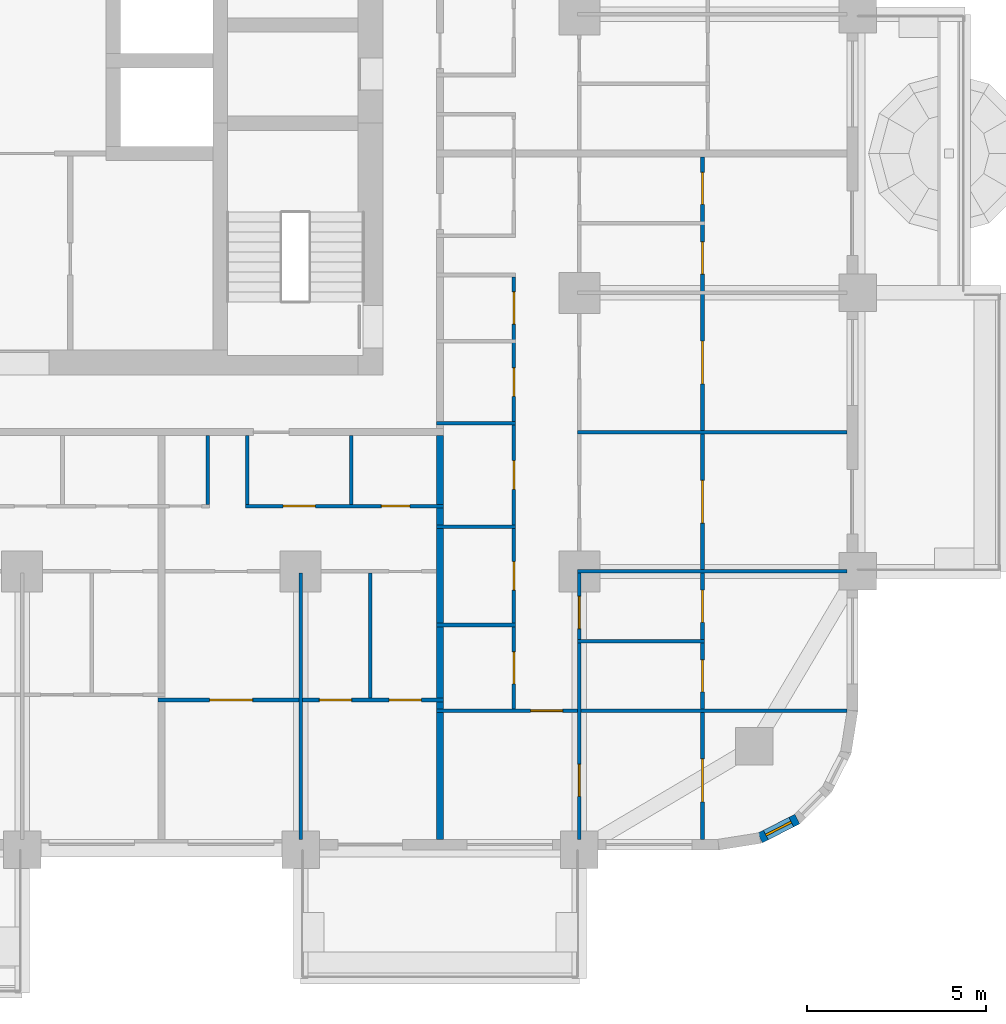
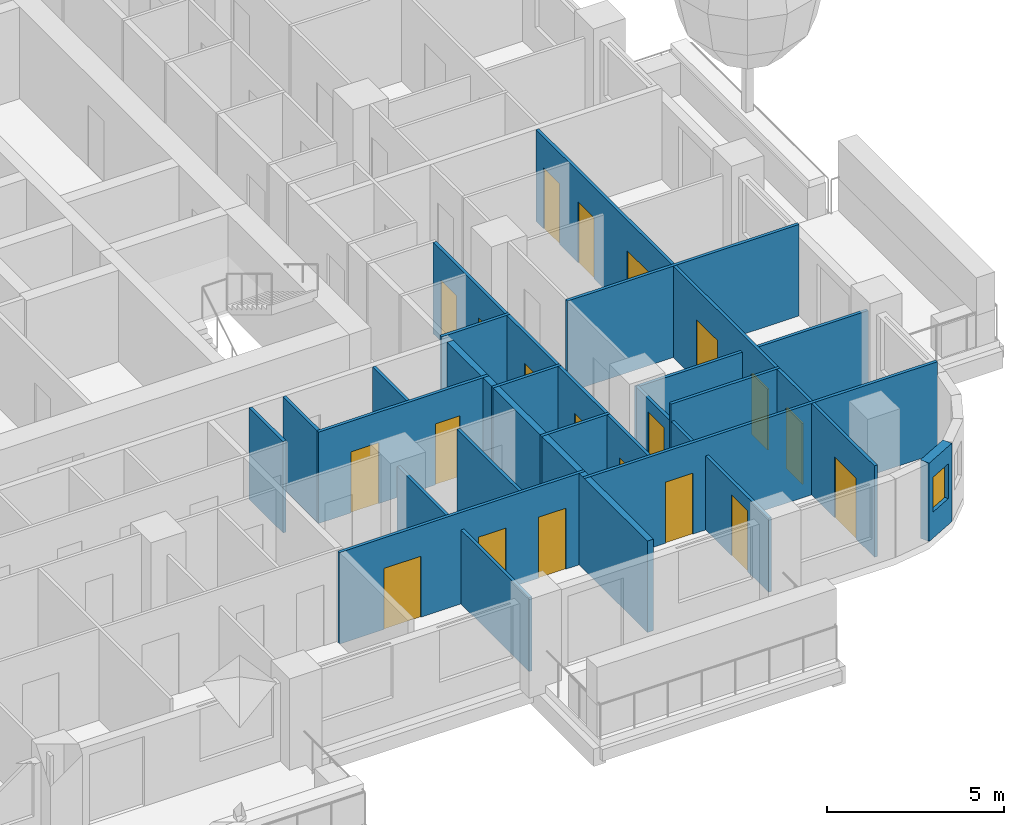
# One storey, part 7 of 18: 20 doors, 19 walls, 1 window, 21 openings.
"""IFC4 building model written with IfcOpenShell, lengths in metres."""

from ifc_helpers import new_model, si_unit, direction, frame, frame_2d, origin, place, context, subcontext, project, spatial, rectangle, extrude, material, layer, layer_set, type_object, element, fill, save


model = new_model("IFC4")

# Units and contexts
model_context = context("Model", 3, precision=1e-05, world=origin(), true_north=direction((0.0, 1.0)))
body_context = subcontext(model_context, "Body", "Model", "MODEL_VIEW")
ifc_project = project(units=[si_unit("LENGTHUNIT", "METRE"), si_unit("AREAUNIT", "SQUARE_METRE"), si_unit("VOLUMEUNIT", "CUBIC_METRE"), si_unit("PLANEANGLEUNIT", "RADIAN"), si_unit("MASSUNIT", "GRAM", prefix="KILO")], contexts=[model_context])

# Site, building, storey
site_placement = place(None, origin())
site = spatial("IfcSite", under=ifc_project, at=site_placement, CompositionType="ELEMENT")
building_placement = place(site_placement, origin())
building = spatial("IfcBuilding", under=site, at=building_placement, Name="Ludao Terraces", CompositionType="ELEMENT")
storey_placement = place(building_placement, frame((0.0, 0.0, 26.300048828125)))
storey = spatial("IfcBuildingStorey", under=building, at=storey_placement, Name="L06", CompositionType="ELEMENT", Elevation=26.300048828125)

# Wall, opening, window
ifc_material_1 = material(Name="Granite cladding", Category="masonry")
ifc_layer_1 = layer(ifc_material_1, 0.0400390625, Category="stone")
ifc_material_2 = material(Name="Mineral wool")
ifc_layer_2 = layer(ifc_material_2, 0.06005859375)
ifc_material_3 = material(Name="Concrete C40", Category="concrete")
ifc_layer_3 = layer(ifc_material_3, 0.199951171875, Category="concrete")
ifc_layer_set_1 = layer_set([ifc_layer_1, ifc_layer_2, ifc_layer_3], Name="ENV Stone-clad wall 300")
wall_type_1 = type_object("IfcWallType", Name="ENV Stone-clad wall 300", PredefinedType="SOLIDWALL", material=ifc_layer_set_1)
wall_1_placement = place(storey_placement, frame((105.65869140625, 41.93359375, 0.0), z_axis=(0.0, 0.0, 1.0), x_axis=(0.890988677504, 0.454025524128, 0.0)))
wall_1 = element("IfcWall", 1, at=wall_1_placement, inside=storey, type_object=wall_type_1, Name="EW-L06-SE2", PredefinedType="SOLIDWALL", context=body_context, shape_type="SweptSolid", body=[
    extrude(rectangle(XDim=1.17333984375, YDim=0.300048828125, at=frame_2d((0.586669921875, 0.0))), origin(), (0.0, 0.0, 1.0), 2.699951171875),
])
opening_1_placement = place(wall_1_placement, frame((0.1865234375, 0.0, 0.89990234375)))
opening_1 = element("IfcOpeningElement", 2, at=opening_1_placement, cuts=wall_1, Name="Opening W3", PredefinedType="OPENING", context=body_context, shape_type="SweptSolid", body=[
    extrude(rectangle(XDim=0.800048828125, YDim=1.199951171875, at=frame_2d((0.39990234375, 0.60009765625))), frame((0.0, 0.16015625, 0.0), z_axis=(0.0, -1.0, 0.0), x_axis=(1.0, 0.0, 0.0)), (0.0, 0.0, 1.0), 0.320068359375),
])
ifc_material_4 = material(Name="Clear glass in aluminium frame", Category="aluminium")
ifc_layer_4 = layer(ifc_material_4, 0.06005859375)
ifc_layer_set_2 = layer_set([ifc_layer_4], Name="ENV Window W3 800x1200")
window_type = type_object("IfcWindowType", Name="ENV Window W3 800x1200", PartitioningType="SINGLE_PANEL", PredefinedType="WINDOW", material=ifc_layer_set_2)
window_placement = place(opening_1_placement, origin())
window = element("IfcWindow", 3, at=window_placement, inside=storey, type_object=window_type, Name="W-L06-SE2", OverallHeight=1.199951171875, OverallWidth=0.800048828125, PartitioningType="SINGLE_PANEL", PredefinedType="WINDOW", context=body_context, shape_type="SweptSolid", body=[
    extrude(rectangle(XDim=0.800048828125, YDim=1.199951171875, at=frame_2d((0.39990234375, 0.60009765625))), frame((0.0, 0.030029296875, 0.0), z_axis=(0.0, -1.0, 0.0), x_axis=(1.0, 0.0, 0.0)), (0.0, 0.0, 1.0), 0.06005859375),
])
fill(opening_1, window)

# Wall, opening, door
ifc_material_5 = material(Name="Gypsum plasterboard", Category="gypsum")
ifc_layer_5 = layer(ifc_material_5, 0.012451171875, Category="gypsum")
ifc_layer_6 = layer(ifc_material_2, 0.06005859375, Name="insulation")
ifc_material_6 = material(Name="Steel Q235", Category="steel")
ifc_layer_7 = layer(ifc_material_6, 0.014892578125, Name="stud")
ifc_layer_8 = layer(ifc_material_5, 0.012451171875, Category="gypsum")
ifc_layer_set_3 = layer_set([ifc_layer_5, ifc_layer_6, ifc_layer_7, ifc_layer_8], Name="INT Partition 100")
wall_type_2 = type_object("IfcWallType", Name="INT Partition 100", PredefinedType="PARTITIONING", material=ifc_layer_set_3)
wall_2_placement = place(storey_placement, frame((96.60009765625, 45.5, 0.0), z_axis=(0.0, 0.0, 1.0), x_axis=(1.0, 0.0, 0.0)))
wall_2 = element("IfcWall", 4, at=wall_2_placement, inside=storey, type_object=wall_type_2, Name="PW-L06-PW001", PredefinedType="PARTITIONING", context=body_context, shape_type="SweptSolid", body=[
    extrude(rectangle(XDim=11.5, YDim=0.10009765625, at=frame_2d((5.75, 0.0))), origin(), (0.0, 0.0, 1.0), 3.14990234375),
])
opening_2_placement = place(wall_2_placement, frame((2.635009765625, 0.0, 0.0)))
opening_2 = element("IfcOpeningElement", 5, at=opening_2_placement, cuts=wall_2, Name="Opening R01-006", PredefinedType="OPENING", context=body_context, shape_type="SweptSolid", body=[
    extrude(rectangle(XDim=0.89990234375, YDim=2.10009765625, at=frame_2d((0.449951171875, 1.050048828125))), frame((0.0, 0.06005859375, 0.0), z_axis=(0.0, -1.0, 0.0), x_axis=(1.0, 0.0, 0.0)), (0.0, 0.0, 1.0), 0.1201171875),
])
ifc_material_7 = material(Name="Timber door leaf", Category="wood")
door_type_1 = type_object("IfcDoorType", Name="INT Room door 900", OperationType="SINGLE_SWING_LEFT", PredefinedType="DOOR", material=ifc_material_7)
door_1_placement = place(opening_2_placement, origin())
door_1 = element("IfcDoor", 6, at=door_1_placement, inside=storey, type_object=door_type_1, Name="DOOR 006", OperationType="SINGLE_SWING_LEFT", OverallHeight=2.10009765625, OverallWidth=0.89990234375, PredefinedType="DOOR", context=body_context, shape_type="SweptSolid", body=[
    extrude(rectangle(XDim=0.89990234375, YDim=2.10009765625, at=frame_2d((0.449951171875, 1.050048828125))), frame((0.0, 0.02490234375, 0.0), z_axis=(0.0, -1.0, 0.0), x_axis=(1.0, 0.0, 0.0)), (0.0, 0.0, 1.0), 0.050048828125),
])
fill(opening_2, door_1)

# Wall, openings, doors
wall_3_placement = place(storey_placement, frame((88.800048828125, 45.800048828125, 0.0), z_axis=(0.0, 0.0, 1.0), x_axis=(1.0, 0.0, 0.0)))
wall_3 = element("IfcWall", 7, at=wall_3_placement, inside=storey, type_object=wall_type_2, Name="PW-L06-PW002", PredefinedType="PARTITIONING", context=body_context, shape_type="SweptSolid", body=[
    extrude(rectangle(XDim=8.0, YDim=0.10009765625, at=frame_2d((4.0, 0.0))), origin(), (0.0, 0.0, 1.0), 3.14990234375),
])
opening_3_placement = place(wall_3_placement, frame((1.449951171875, 0.0, 0.0)))
opening_3 = element("IfcOpeningElement", 8, at=opening_3_placement, cuts=wall_3, Name="Opening R01-007", PredefinedType="OPENING", context=body_context, shape_type="SweptSolid", body=[
    extrude(rectangle(XDim=1.199951171875, YDim=2.10009765625, at=frame_2d((0.60009765625, 1.050048828125))), frame((0.0, 0.06005859375, 0.0), z_axis=(0.0, -1.0, 0.0), x_axis=(1.0, 0.0, 0.0)), (0.0, 0.0, 1.0), 0.1201171875),
])
opening_4_placement = place(wall_3_placement, frame((4.52490234375, 0.0, 0.0)))
opening_4 = element("IfcOpeningElement", 9, at=opening_4_placement, cuts=wall_3, Name="Opening R01-008", PredefinedType="OPENING", context=body_context, shape_type="SweptSolid", body=[
    extrude(rectangle(XDim=0.89990234375, YDim=2.10009765625, at=frame_2d((0.449951171875, 1.050048828125))), frame((0.0, 0.06005859375, 0.0), z_axis=(0.0, -1.0, 0.0), x_axis=(1.0, 0.0, 0.0)), (0.0, 0.0, 1.0), 0.1201171875),
])
opening_5_placement = place(wall_3_placement, frame((6.47509765625, 0.0, 0.0)))
opening_5 = element("IfcOpeningElement", 10, at=opening_5_placement, cuts=wall_3, Name="Opening R01-009", PredefinedType="OPENING", context=body_context, shape_type="SweptSolid", body=[
    extrude(rectangle(XDim=0.89990234375, YDim=2.10009765625, at=frame_2d((0.449951171875, 1.050048828125))), frame((0.0, 0.06005859375, 0.0), z_axis=(0.0, -1.0, 0.0), x_axis=(1.0, 0.0, 0.0)), (0.0, 0.0, 1.0), 0.1201171875),
])
door_type_2 = type_object("IfcDoorType", Name="INT Bathroom door 900", OperationType="SINGLE_SWING_LEFT", PredefinedType="DOOR", material=ifc_material_7)
door_2_placement = place(opening_4_placement, origin())
door_2 = element("IfcDoor", 11, at=door_2_placement, inside=storey, type_object=door_type_2, Name="DOOR 008", OperationType="SINGLE_SWING_LEFT", OverallHeight=2.10009765625, OverallWidth=0.89990234375, PredefinedType="DOOR", context=body_context, shape_type="SweptSolid", body=[
    extrude(rectangle(XDim=0.89990234375, YDim=2.10009765625, at=frame_2d((0.449951171875, 1.050048828125))), frame((0.0, 0.02490234375, 0.0), z_axis=(0.0, -1.0, 0.0), x_axis=(1.0, 0.0, 0.0)), (0.0, 0.0, 1.0), 0.050048828125),
])
fill(opening_4, door_2)
door_type_3 = type_object("IfcDoorType", Name="INT Double door 1200", OperationType="DOUBLE_DOOR_SINGLE_SWING", PredefinedType="DOOR", material=ifc_material_7)
door_3_placement = place(opening_3_placement, origin())
door_3 = element("IfcDoor", 12, at=door_3_placement, inside=storey, type_object=door_type_3, Name="DOOR 007", OperationType="DOUBLE_DOOR_SINGLE_SWING", OverallHeight=2.10009765625, OverallWidth=1.199951171875, PredefinedType="DOOR", context=body_context, shape_type="SweptSolid", body=[
    extrude(rectangle(XDim=1.199951171875, YDim=2.10009765625, at=frame_2d((0.60009765625, 1.050048828125))), frame((0.0, 0.02490234375, 0.0), z_axis=(0.0, -1.0, 0.0), x_axis=(1.0, 0.0, 0.0)), (0.0, 0.0, 1.0), 0.050048828125),
])
fill(opening_3, door_3)
door_4_placement = place(opening_5_placement, origin())
door_4 = element("IfcDoor", 13, at=door_4_placement, inside=storey, type_object=door_type_1, Name="DOOR 009", OperationType="SINGLE_SWING_RIGHT", OverallHeight=2.10009765625, OverallWidth=0.89990234375, PredefinedType="DOOR", context=body_context, shape_type="SweptSolid", body=[
    extrude(rectangle(XDim=0.89990234375, YDim=2.10009765625, at=frame_2d((0.449951171875, 1.050048828125))), frame((0.0, 0.02490234375, 0.0), z_axis=(0.0, -1.0, 0.0), x_axis=(1.0, 0.0, 0.0)), (0.0, 0.0, 1.0), 0.050048828125),
])
fill(opening_5, door_4)

# Walls
wall_4_placement = place(storey_placement, frame((100.550048828125, 47.449951171875, 0.0), z_axis=(0.0, 0.0, 1.0), x_axis=(1.0, 0.0, 0.0)))
element("IfcWall", 14, at=wall_4_placement, inside=storey, type_object=wall_type_2, Name="PW-L06-PW004", PredefinedType="PARTITIONING", context=body_context, shape_type="SweptSolid", body=[
    extrude(rectangle(XDim=3.550048828125, YDim=0.10009765625, at=frame_2d((1.77490234375, 0.0))), origin(), (0.0, 0.0, 1.0), 3.14990234375),
])
wall_5_placement = place(storey_placement, frame((96.60009765625, 47.89990234375, 0.0), z_axis=(0.0, 0.0, 1.0), x_axis=(1.0, 0.0, 0.0)))
element("IfcWall", 15, at=wall_5_placement, inside=storey, type_object=wall_type_2, Name="PW-L06-PW006", PredefinedType="PARTITIONING", context=body_context, shape_type="SweptSolid", body=[
    extrude(rectangle(XDim=2.219970703125, YDim=0.10009765625, at=frame_2d((1.10986328125, 0.0))), origin(), (0.0, 0.0, 1.0), 3.14990234375),
])
wall_6_placement = place(storey_placement, frame((100.550048828125, 49.39990234375, 0.0), z_axis=(0.0, 0.0, 1.0), x_axis=(1.0, 0.0, 0.0)))
element("IfcWall", 16, at=wall_6_placement, inside=storey, type_object=wall_type_2, Name="PW-L06-PW009", PredefinedType="PARTITIONING", context=body_context, shape_type="SweptSolid", body=[
    extrude(rectangle(XDim=7.550048828125, YDim=0.10009765625, at=frame_2d((3.77490234375, 0.0))), origin(), (0.0, 0.0, 1.0), 2.5498046875),
])
wall_7_placement = place(storey_placement, frame((96.60009765625, 50.64990234375, 0.0), z_axis=(0.0, 0.0, 1.0), x_axis=(1.0, 0.0, 0.0)))
element("IfcWall", 17, at=wall_7_placement, inside=storey, type_object=wall_type_2, Name="PW-L06-PW011", PredefinedType="PARTITIONING", context=body_context, shape_type="SweptSolid", body=[
    extrude(rectangle(XDim=2.219970703125, YDim=0.10009765625, at=frame_2d((1.10986328125, 0.0))), origin(), (0.0, 0.0, 1.0), 3.14990234375),
])

# Wall, openings, doors
wall_8_placement = place(storey_placement, frame((91.25, 51.22998046875, 0.0), z_axis=(0.0, 0.0, 1.0), x_axis=(1.0, 0.0, 0.0)))
wall_8 = element("IfcWall", 18, at=wall_8_placement, inside=storey, type_object=wall_type_2, Name="PW-L06-PW014", PredefinedType="PARTITIONING", context=body_context, shape_type="SweptSolid", body=[
    extrude(rectangle(XDim=5.550048828125, YDim=0.10009765625, at=frame_2d((2.77490234375, 0.0))), origin(), (0.0, 0.0, 1.0), 3.14990234375),
])
opening_6_placement = place(wall_8_placement, frame((1.06005859375, 0.0, 0.0)))
opening_6 = element("IfcOpeningElement", 19, at=opening_6_placement, cuts=wall_8, Name="Opening R01-039", PredefinedType="OPENING", context=body_context, shape_type="SweptSolid", body=[
    extrude(rectangle(XDim=0.89990234375, YDim=2.10009765625, at=frame_2d((0.449951171875, 1.050048828125))), frame((0.0, 0.06005859375, 0.0), z_axis=(0.0, -1.0, 0.0), x_axis=(1.0, 0.0, 0.0)), (0.0, 0.0, 1.0), 0.1201171875),
])
opening_7_placement = place(wall_8_placement, frame((3.81005859375, 0.0, 0.0)))
opening_7 = element("IfcOpeningElement", 20, at=opening_7_placement, cuts=wall_8, Name="Opening R01-040", PredefinedType="OPENING", context=body_context, shape_type="SweptSolid", body=[
    extrude(rectangle(XDim=0.800048828125, YDim=2.10009765625, at=frame_2d((0.39990234375, 1.050048828125))), frame((0.0, 0.06005859375, 0.0), z_axis=(0.0, -1.0, 0.0), x_axis=(1.0, 0.0, 0.0)), (0.0, 0.0, 1.0), 0.1201171875),
])
door_5_placement = place(opening_6_placement, origin())
door_5 = element("IfcDoor", 21, at=door_5_placement, inside=storey, type_object=door_type_1, Name="DOOR 039", OperationType="SINGLE_SWING_LEFT", OverallHeight=2.10009765625, OverallWidth=0.89990234375, PredefinedType="DOOR", context=body_context, shape_type="SweptSolid", body=[
    extrude(rectangle(XDim=0.89990234375, YDim=2.10009765625, at=frame_2d((0.449951171875, 1.050048828125))), frame((0.0, 0.02490234375, 0.0), z_axis=(0.0, -1.0, 0.0), x_axis=(1.0, 0.0, 0.0)), (0.0, 0.0, 1.0), 0.050048828125),
])
fill(opening_6, door_5)
door_type_4 = type_object("IfcDoorType", Name="INT Store door 800", OperationType="SINGLE_SWING_LEFT", PredefinedType="DOOR", material=ifc_material_7)
door_6_placement = place(opening_7_placement, origin())
door_6 = element("IfcDoor", 22, at=door_6_placement, inside=storey, type_object=door_type_4, Name="DOOR 040", OperationType="SINGLE_SWING_RIGHT", OverallHeight=2.10009765625, OverallWidth=0.800048828125, PredefinedType="DOOR", context=body_context, shape_type="SweptSolid", body=[
    extrude(rectangle(XDim=0.800048828125, YDim=2.10009765625, at=frame_2d((0.39990234375, 1.050048828125))), frame((0.0, 0.02490234375, 0.0), z_axis=(0.0, -1.0, 0.0), x_axis=(1.0, 0.0, 0.0)), (0.0, 0.0, 1.0), 0.050048828125),
])
fill(opening_7, door_6)

# Walls
wall_9_placement = place(storey_placement, frame((100.550048828125, 53.300048828125, 0.0), z_axis=(0.0, 0.0, 1.0), x_axis=(1.0, 0.0, 0.0)))
element("IfcWall", 23, at=wall_9_placement, inside=storey, type_object=wall_type_2, Name="PW-L06-PW018", PredefinedType="PARTITIONING", context=body_context, shape_type="SweptSolid", body=[
    extrude(rectangle(XDim=7.550048828125, YDim=0.10009765625, at=frame_2d((3.77490234375, 0.0))), origin(), (0.0, 0.0, 1.0), 3.14990234375),
])
wall_10_placement = place(storey_placement, frame((96.60009765625, 53.550048828125, 0.0), z_axis=(0.0, 0.0, 1.0), x_axis=(1.0, 0.0, 0.0)))
element("IfcWall", 24, at=wall_10_placement, inside=storey, type_object=wall_type_2, Name="PW-L06-PW019", PredefinedType="PARTITIONING", context=body_context, shape_type="SweptSolid", body=[
    extrude(rectangle(XDim=2.219970703125, YDim=0.10009765625, at=frame_2d((1.10986328125, 0.0))), origin(), (0.0, 0.0, 1.0), 3.14990234375),
])
for number, where, z_axis, x_axis, name in (
    (25, (90.199951171875, 51.280029296875, 0.0), (0.0, 0.0, 1.0), (0.0, 1.0, 0.0), "PW-L06-PW103"),
    (26, (91.300048828125, 51.280029296875, 0.0), (0.0, 0.0, 1.0), (0.0, 1.0, 0.0), "PW-L06-PW104"),
):
    element("IfcWall", number, at=place(storey_placement, frame(where, z_axis=z_axis, x_axis=x_axis)), inside=storey, type_object=wall_type_2, Name=name, PredefinedType="PARTITIONING", context=body_context, shape_type="SweptSolid", body=[
        extrude(rectangle(XDim=1.920166015625, YDim=0.10009765625, at=frame_2d((0.9599609375, 0.0))), origin(), (0.0, 0.0, 1.0), 3.14990234375),
    ])
wall_11_placement = place(storey_placement, frame((92.800048828125, 41.900146484375, 0.0), z_axis=(0.0, 0.0, 1.0), x_axis=(0.0, 1.0, 0.0)))
element("IfcWall", 27, at=wall_11_placement, inside=storey, type_object=wall_type_2, Name="PW-L06-PW105", PredefinedType="PARTITIONING", context=body_context, shape_type="SweptSolid", body=[
    extrude(rectangle(XDim=7.449951171875, YDim=0.10009765625, at=frame_2d((3.72509765625, 0.0))), origin(), (0.0, 0.0, 1.0), 2.5498046875),
])
wall_12_placement = place(storey_placement, frame((94.219970703125, 51.280029296875, 0.0), z_axis=(0.0, 0.0, 1.0), x_axis=(0.0, 1.0, 0.0)))
element("IfcWall", 28, at=wall_12_placement, inside=storey, type_object=wall_type_2, Name="PW-L06-PW107", PredefinedType="PARTITIONING", context=body_context, shape_type="SweptSolid", body=[
    extrude(rectangle(XDim=1.920166015625, YDim=0.10009765625, at=frame_2d((0.9599609375, 0.0))), origin(), (0.0, 0.0, 1.0), 3.14990234375),
])
wall_13_placement = place(storey_placement, frame((94.75, 45.85009765625, 0.0), z_axis=(0.0, 0.0, 1.0), x_axis=(0.0, 1.0, 0.0)))
element("IfcWall", 29, at=wall_13_placement, inside=storey, type_object=wall_type_2, Name="PW-L06-PW108", PredefinedType="PARTITIONING", context=body_context, shape_type="SweptSolid", body=[
    extrude(rectangle(XDim=3.5, YDim=0.10009765625, at=frame_2d((1.75, 0.0))), origin(), (0.0, 0.0, 1.0), 3.14990234375),
])

# Wall, openings, doors
wall_14_placement = place(storey_placement, frame((98.77001953125, 45.550048828125, 0.0), z_axis=(0.0, 0.0, 1.0), x_axis=(0.0, 1.0, 0.0)))
wall_14 = element("IfcWall", 30, at=wall_14_placement, inside=storey, type_object=wall_type_2, Name="PW-L06-PW112", PredefinedType="PARTITIONING", context=body_context, shape_type="SweptSolid", body=[
    extrude(rectangle(XDim=12.10009765625, YDim=0.10009765625, at=frame_2d((6.050048828125, 0.0))), origin(), (0.0, 0.0, 1.0), 3.14990234375),
])
opening_8_placement = place(wall_14_placement, frame((0.699951171875, 0.0, 0.0)))
opening_8 = element("IfcOpeningElement", 31, at=opening_8_placement, cuts=wall_14, Name="Opening R01-018", PredefinedType="OPENING", context=body_context, shape_type="SweptSolid", body=[
    extrude(rectangle(XDim=0.89990234375, YDim=2.10009765625, at=frame_2d((0.449951171875, 1.050048828125))), frame((0.0, 0.06005859375, 0.0), z_axis=(0.0, -1.0, 0.0), x_axis=(1.0, 0.0, 0.0)), (0.0, 0.0, 1.0), 0.1201171875),
])
opening_9_placement = place(wall_14_placement, frame((3.324951171875, 0.0, 0.0)))
opening_9 = element("IfcOpeningElement", 32, at=opening_9_placement, cuts=wall_14, Name="Opening R01-024", PredefinedType="OPENING", context=body_context, shape_type="SweptSolid", body=[
    extrude(rectangle(XDim=0.800048828125, YDim=2.10009765625, at=frame_2d((0.39990234375, 1.050048828125))), frame((0.0, 0.06005859375, 0.0), z_axis=(0.0, -1.0, 0.0), x_axis=(1.0, 0.0, 0.0)), (0.0, 0.0, 1.0), 0.1201171875),
])
opening_10_placement = place(wall_14_placement, frame((6.14990234375, 0.0, 0.0)))
opening_10 = element("IfcOpeningElement", 33, at=opening_10_placement, cuts=wall_14, Name="Opening R01-045", PredefinedType="OPENING", context=body_context, shape_type="SweptSolid", body=[
    extrude(rectangle(XDim=0.800048828125, YDim=2.10009765625, at=frame_2d((0.39990234375, 1.050048828125))), frame((0.0, 0.06005859375, 0.0), z_axis=(0.0, -1.0, 0.0), x_axis=(1.0, 0.0, 0.0)), (0.0, 0.0, 1.0), 0.1201171875),
])
opening_11_placement = place(wall_14_placement, frame((8.75, 0.0, 0.0)))
opening_11 = element("IfcOpeningElement", 34, at=opening_11_placement, cuts=wall_14, Name="Opening R01-050", PredefinedType="OPENING", context=body_context, shape_type="SweptSolid", body=[
    extrude(rectangle(XDim=0.800048828125, YDim=2.10009765625, at=frame_2d((0.39990234375, 1.050048828125))), frame((0.0, 0.06005859375, 0.0), z_axis=(0.0, -1.0, 0.0), x_axis=(1.0, 0.0, 0.0)), (0.0, 0.0, 1.0), 0.1201171875),
])
opening_12_placement = place(wall_14_placement, frame((10.77490234375, 0.0, 0.0)))
opening_12 = element("IfcOpeningElement", 35, at=opening_12_placement, cuts=wall_14, Name="Opening R01-058", PredefinedType="OPENING", context=body_context, shape_type="SweptSolid", body=[
    extrude(rectangle(XDim=0.89990234375, YDim=2.10009765625, at=frame_2d((0.449951171875, 1.050048828125))), frame((0.0, 0.06005859375, 0.0), z_axis=(0.0, -1.0, 0.0), x_axis=(1.0, 0.0, 0.0)), (0.0, 0.0, 1.0), 0.1201171875),
])
door_7_placement = place(opening_8_placement, origin())
door_7 = element("IfcDoor", 36, at=door_7_placement, inside=storey, type_object=door_type_2, Name="DOOR 018", OperationType="SINGLE_SWING_RIGHT", OverallHeight=2.10009765625, OverallWidth=0.89990234375, PredefinedType="DOOR", context=body_context, shape_type="SweptSolid", body=[
    extrude(rectangle(XDim=0.89990234375, YDim=2.10009765625, at=frame_2d((0.449951171875, 1.050048828125))), frame((0.0, 0.02490234375, 0.0), z_axis=(0.0, -1.0, 0.0), x_axis=(1.0, 0.0, 0.0)), (0.0, 0.0, 1.0), 0.050048828125),
])
fill(opening_8, door_7)
door_8_placement = place(opening_12_placement, origin())
door_8 = element("IfcDoor", 37, at=door_8_placement, inside=storey, type_object=door_type_2, Name="DOOR 058", OperationType="SINGLE_SWING_LEFT", OverallHeight=2.10009765625, OverallWidth=0.89990234375, PredefinedType="DOOR", context=body_context, shape_type="SweptSolid", body=[
    extrude(rectangle(XDim=0.89990234375, YDim=2.10009765625, at=frame_2d((0.449951171875, 1.050048828125))), frame((0.0, 0.02490234375, 0.0), z_axis=(0.0, -1.0, 0.0), x_axis=(1.0, 0.0, 0.0)), (0.0, 0.0, 1.0), 0.050048828125),
])
fill(opening_12, door_8)
door_9_placement = place(opening_9_placement, origin())
door_9 = element("IfcDoor", 38, at=door_9_placement, inside=storey, type_object=door_type_4, Name="DOOR 024", OperationType="SINGLE_SWING_LEFT", OverallHeight=2.10009765625, OverallWidth=0.800048828125, PredefinedType="DOOR", context=body_context, shape_type="SweptSolid", body=[
    extrude(rectangle(XDim=0.800048828125, YDim=2.10009765625, at=frame_2d((0.39990234375, 1.050048828125))), frame((0.0, 0.02490234375, 0.0), z_axis=(0.0, -1.0, 0.0), x_axis=(1.0, 0.0, 0.0)), (0.0, 0.0, 1.0), 0.050048828125),
])
fill(opening_9, door_9)
door_10_placement = place(opening_10_placement, origin())
door_10 = element("IfcDoor", 39, at=door_10_placement, inside=storey, type_object=door_type_4, Name="DOOR 045", OperationType="SINGLE_SWING_LEFT", OverallHeight=2.10009765625, OverallWidth=0.800048828125, PredefinedType="DOOR", context=body_context, shape_type="SweptSolid", body=[
    extrude(rectangle(XDim=0.800048828125, YDim=2.10009765625, at=frame_2d((0.39990234375, 1.050048828125))), frame((0.0, 0.02490234375, 0.0), z_axis=(0.0, -1.0, 0.0), x_axis=(1.0, 0.0, 0.0)), (0.0, 0.0, 1.0), 0.050048828125),
])
fill(opening_10, door_10)
door_11_placement = place(opening_11_placement, origin())
door_11 = element("IfcDoor", 40, at=door_11_placement, inside=storey, type_object=door_type_4, Name="DOOR 050", OperationType="SINGLE_SWING_LEFT", OverallHeight=2.10009765625, OverallWidth=0.800048828125, PredefinedType="DOOR", context=body_context, shape_type="SweptSolid", body=[
    extrude(rectangle(XDim=0.800048828125, YDim=2.10009765625, at=frame_2d((0.39990234375, 1.050048828125))), frame((0.0, 0.02490234375, 0.0), z_axis=(0.0, -1.0, 0.0), x_axis=(1.0, 0.0, 0.0)), (0.0, 0.0, 1.0), 0.050048828125),
])
fill(opening_11, door_11)

wall_15_placement = place(storey_placement, frame((100.60009765625, 41.900146484375, 0.0), z_axis=(0.0, 0.0, 1.0), x_axis=(0.0, 1.0, 0.0)))
wall_15 = element("IfcWall", 41, at=wall_15_placement, inside=storey, type_object=wall_type_2, Name="PW-L06-PW116", PredefinedType="PARTITIONING", context=body_context, shape_type="SweptSolid", body=[
    extrude(rectangle(XDim=7.499755859375, YDim=0.10009765625, at=frame_2d((3.75, 0.0))), origin(), (0.0, 0.0, 1.0), 2.5498046875),
])
opening_13_placement = place(wall_15_placement, frame((1.199951171875, 0.0, 0.0)))
opening_13 = element("IfcOpeningElement", 42, at=opening_13_placement, cuts=wall_15, Name="Opening R01-003", PredefinedType="OPENING", context=body_context, shape_type="SweptSolid", body=[
    extrude(rectangle(XDim=0.89990234375, YDim=2.10009765625, at=frame_2d((0.449951171875, 1.050048828125))), frame((0.0, 0.06005859375, 0.0), z_axis=(0.0, -1.0, 0.0), x_axis=(1.0, 0.0, 0.0)), (0.0, 0.0, 1.0), 0.1201171875),
])
opening_14_placement = place(wall_15_placement, frame((5.89990234375, 0.0, 0.0)))
opening_14 = element("IfcOpeningElement", 43, at=opening_14_placement, cuts=wall_15, Name="Opening R01-021", PredefinedType="OPENING", context=body_context, shape_type="SweptSolid", body=[
    extrude(rectangle(XDim=0.89990234375, YDim=2.10009765625, at=frame_2d((0.449951171875, 1.050048828125))), frame((0.0, 0.06005859375, 0.0), z_axis=(0.0, -1.0, 0.0), x_axis=(1.0, 0.0, 0.0)), (0.0, 0.0, 1.0), 0.1201171875),
])
door_12_placement = place(opening_13_placement, origin())
door_12 = element("IfcDoor", 44, at=door_12_placement, inside=storey, type_object=door_type_1, Name="DOOR 003", OperationType="SINGLE_SWING_RIGHT", OverallHeight=2.10009765625, OverallWidth=0.89990234375, PredefinedType="DOOR", context=body_context, shape_type="SweptSolid", body=[
    extrude(rectangle(XDim=0.89990234375, YDim=2.10009765625, at=frame_2d((0.449951171875, 1.050048828125))), frame((0.0, 0.02490234375, 0.0), z_axis=(0.0, -1.0, 0.0), x_axis=(1.0, 0.0, 0.0)), (0.0, 0.0, 1.0), 0.050048828125),
])
fill(opening_13, door_12)
door_13_placement = place(opening_14_placement, origin())
door_13 = element("IfcDoor", 45, at=door_13_placement, inside=storey, type_object=door_type_1, Name="DOOR 021", OperationType="SINGLE_SWING_RIGHT", OverallHeight=2.10009765625, OverallWidth=0.89990234375, PredefinedType="DOOR", context=body_context, shape_type="SweptSolid", body=[
    extrude(rectangle(XDim=0.89990234375, YDim=2.10009765625, at=frame_2d((0.449951171875, 1.050048828125))), frame((0.0, 0.02490234375, 0.0), z_axis=(0.0, -1.0, 0.0), x_axis=(1.0, 0.0, 0.0)), (0.0, 0.0, 1.0), 0.050048828125),
])
fill(opening_14, door_13)

wall_16_placement = place(storey_placement, frame((104.050048828125, 41.900146484375, 0.0), z_axis=(0.0, 0.0, 1.0), x_axis=(0.0, 1.0, 0.0)))
wall_16 = element("IfcWall", 46, at=wall_16_placement, inside=storey, type_object=wall_type_2, Name="PW-L06-PW117", PredefinedType="PARTITIONING", context=body_context, shape_type="SweptSolid", body=[
    extrude(rectangle(XDim=19.099853515625, YDim=0.10009765625, at=frame_2d((9.5498046875, 0.0))), origin(), (0.0, 0.0, 1.0), 3.14990234375),
])
opening_15_placement = place(wall_16_placement, frame((1.050048828125, 0.0, 0.0)))
opening_15 = element("IfcOpeningElement", 47, at=opening_15_placement, cuts=wall_16, Name="Opening R01-004", PredefinedType="OPENING", context=body_context, shape_type="SweptSolid", body=[
    extrude(rectangle(XDim=1.199951171875, YDim=2.10009765625, at=frame_2d((0.60009765625, 1.050048828125))), frame((0.0, 0.06005859375, 0.0), z_axis=(0.0, -1.0, 0.0), x_axis=(1.0, 0.0, 0.0)), (0.0, 0.0, 1.0), 0.1201171875),
])
opening_16_placement = place(wall_16_placement, frame((4.125, 0.0, 0.0)))
opening_16 = element("IfcOpeningElement", 48, at=opening_16_placement, cuts=wall_16, Name="Opening R01-016", PredefinedType="OPENING", context=body_context, shape_type="SweptSolid", body=[
    extrude(rectangle(XDim=0.89990234375, YDim=2.10009765625, at=frame_2d((0.449951171875, 1.050048828125))), frame((0.0, 0.06005859375, 0.0), z_axis=(0.0, -1.0, 0.0), x_axis=(1.0, 0.0, 0.0)), (0.0, 0.0, 1.0), 0.1201171875),
])
opening_17_placement = place(wall_16_placement, frame((6.074951171875, 0.0, 0.0)))
opening_17 = element("IfcOpeningElement", 49, at=opening_17_placement, cuts=wall_16, Name="Opening R01-022", PredefinedType="OPENING", context=body_context, shape_type="SweptSolid", body=[
    extrude(rectangle(XDim=0.89990234375, YDim=2.10009765625, at=frame_2d((0.449951171875, 1.050048828125))), frame((0.0, 0.06005859375, 0.0), z_axis=(0.0, -1.0, 0.0), x_axis=(1.0, 0.0, 0.0)), (0.0, 0.0, 1.0), 0.1201171875),
])
opening_18_placement = place(wall_16_placement, frame((8.85009765625, 0.0, 0.0)))
opening_18 = element("IfcOpeningElement", 50, at=opening_18_placement, cuts=wall_16, Name="Opening R01-044", PredefinedType="OPENING", context=body_context, shape_type="SweptSolid", body=[
    extrude(rectangle(XDim=1.199951171875, YDim=2.10009765625, at=frame_2d((0.60009765625, 1.050048828125))), frame((0.0, 0.06005859375, 0.0), z_axis=(0.0, -1.0, 0.0), x_axis=(1.0, 0.0, 0.0)), (0.0, 0.0, 1.0), 0.1201171875),
])
opening_19_placement = place(wall_16_placement, frame((12.75, 0.0, 0.0)))
opening_19 = element("IfcOpeningElement", 51, at=opening_19_placement, cuts=wall_16, Name="Opening R01-053", PredefinedType="OPENING", context=body_context, shape_type="SweptSolid", body=[
    extrude(rectangle(XDim=1.199951171875, YDim=2.10009765625, at=frame_2d((0.60009765625, 1.050048828125))), frame((0.0, 0.06005859375, 0.0), z_axis=(0.0, -1.0, 0.0), x_axis=(1.0, 0.0, 0.0)), (0.0, 0.0, 1.0), 0.1201171875),
])
opening_20_placement = place(wall_16_placement, frame((15.824951171875, 0.0, 0.0)))
opening_20 = element("IfcOpeningElement", 52, at=opening_20_placement, cuts=wall_16, Name="Opening R01-062", PredefinedType="OPENING", context=body_context, shape_type="SweptSolid", body=[
    extrude(rectangle(XDim=0.89990234375, YDim=2.10009765625, at=frame_2d((0.449951171875, 1.050048828125))), frame((0.0, 0.06005859375, 0.0), z_axis=(0.0, -1.0, 0.0), x_axis=(1.0, 0.0, 0.0)), (0.0, 0.0, 1.0), 0.1201171875),
])
opening_21_placement = place(wall_16_placement, frame((17.77490234375, 0.0, 0.0)))
opening_21 = element("IfcOpeningElement", 53, at=opening_21_placement, cuts=wall_16, Name="Opening R01-069", PredefinedType="OPENING", context=body_context, shape_type="SweptSolid", body=[
    extrude(rectangle(XDim=0.89990234375, YDim=2.10009765625, at=frame_2d((0.449951171875, 1.050048828125))), frame((0.0, 0.06005859375, 0.0), z_axis=(0.0, -1.0, 0.0), x_axis=(1.0, 0.0, 0.0)), (0.0, 0.0, 1.0), 0.1201171875),
])
door_14_placement = place(opening_16_placement, origin())
door_14 = element("IfcDoor", 54, at=door_14_placement, inside=storey, type_object=door_type_2, Name="DOOR 016", OperationType="SINGLE_SWING_LEFT", OverallHeight=2.10009765625, OverallWidth=0.89990234375, PredefinedType="DOOR", context=body_context, shape_type="SweptSolid", body=[
    extrude(rectangle(XDim=0.89990234375, YDim=2.10009765625, at=frame_2d((0.449951171875, 1.050048828125))), frame((0.0, 0.02490234375, 0.0), z_axis=(0.0, -1.0, 0.0), x_axis=(1.0, 0.0, 0.0)), (0.0, 0.0, 1.0), 0.050048828125),
])
fill(opening_16, door_14)
door_15_placement = place(opening_20_placement, origin())
door_15 = element("IfcDoor", 55, at=door_15_placement, inside=storey, type_object=door_type_2, Name="DOOR 062", OperationType="SINGLE_SWING_RIGHT", OverallHeight=2.10009765625, OverallWidth=0.89990234375, PredefinedType="DOOR", context=body_context, shape_type="SweptSolid", body=[
    extrude(rectangle(XDim=0.89990234375, YDim=2.10009765625, at=frame_2d((0.449951171875, 1.050048828125))), frame((0.0, 0.02490234375, 0.0), z_axis=(0.0, -1.0, 0.0), x_axis=(1.0, 0.0, 0.0)), (0.0, 0.0, 1.0), 0.050048828125),
])
fill(opening_20, door_15)
door_16_placement = place(opening_15_placement, origin())
door_16 = element("IfcDoor", 56, at=door_16_placement, inside=storey, type_object=door_type_3, Name="DOOR 004", OperationType="DOUBLE_DOOR_SINGLE_SWING", OverallHeight=2.10009765625, OverallWidth=1.199951171875, PredefinedType="DOOR", context=body_context, shape_type="SweptSolid", body=[
    extrude(rectangle(XDim=1.199951171875, YDim=2.10009765625, at=frame_2d((0.60009765625, 1.050048828125))), frame((0.0, 0.02490234375, 0.0), z_axis=(0.0, -1.0, 0.0), x_axis=(1.0, 0.0, 0.0)), (0.0, 0.0, 1.0), 0.050048828125),
])
fill(opening_15, door_16)
door_17_placement = place(opening_18_placement, origin())
door_17 = element("IfcDoor", 57, at=door_17_placement, inside=storey, type_object=door_type_3, Name="DOOR 044", OperationType="DOUBLE_DOOR_SINGLE_SWING", OverallHeight=2.10009765625, OverallWidth=1.199951171875, PredefinedType="DOOR", context=body_context, shape_type="SweptSolid", body=[
    extrude(rectangle(XDim=1.199951171875, YDim=2.10009765625, at=frame_2d((0.60009765625, 1.050048828125))), frame((0.0, 0.02490234375, 0.0), z_axis=(0.0, -1.0, 0.0), x_axis=(1.0, 0.0, 0.0)), (0.0, 0.0, 1.0), 0.050048828125),
])
fill(opening_18, door_17)
door_18_placement = place(opening_19_placement, origin())
door_18 = element("IfcDoor", 58, at=door_18_placement, inside=storey, type_object=door_type_3, Name="DOOR 053", OperationType="DOUBLE_DOOR_SINGLE_SWING", OverallHeight=2.10009765625, OverallWidth=1.199951171875, PredefinedType="DOOR", context=body_context, shape_type="SweptSolid", body=[
    extrude(rectangle(XDim=1.199951171875, YDim=2.10009765625, at=frame_2d((0.60009765625, 1.050048828125))), frame((0.0, 0.02490234375, 0.0), z_axis=(0.0, -1.0, 0.0), x_axis=(1.0, 0.0, 0.0)), (0.0, 0.0, 1.0), 0.050048828125),
])
fill(opening_19, door_18)
door_19_placement = place(opening_17_placement, origin())
door_19 = element("IfcDoor", 59, at=door_19_placement, inside=storey, type_object=door_type_1, Name="DOOR 022", OperationType="SINGLE_SWING_RIGHT", OverallHeight=2.10009765625, OverallWidth=0.89990234375, PredefinedType="DOOR", context=body_context, shape_type="SweptSolid", body=[
    extrude(rectangle(XDim=0.89990234375, YDim=2.10009765625, at=frame_2d((0.449951171875, 1.050048828125))), frame((0.0, 0.02490234375, 0.0), z_axis=(0.0, -1.0, 0.0), x_axis=(1.0, 0.0, 0.0)), (0.0, 0.0, 1.0), 0.050048828125),
])
fill(opening_17, door_19)
door_20_placement = place(opening_21_placement, origin())
door_20 = element("IfcDoor", 60, at=door_20_placement, inside=storey, type_object=door_type_1, Name="DOOR 069", OperationType="SINGLE_SWING_RIGHT", OverallHeight=2.10009765625, OverallWidth=0.89990234375, PredefinedType="DOOR", context=body_context, shape_type="SweptSolid", body=[
    extrude(rectangle(XDim=0.89990234375, YDim=2.10009765625, at=frame_2d((0.449951171875, 1.050048828125))), frame((0.0, 0.02490234375, 0.0), z_axis=(0.0, -1.0, 0.0), x_axis=(1.0, 0.0, 0.0)), (0.0, 0.0, 1.0), 0.050048828125),
])
fill(opening_21, door_20)

# Wall
ifc_material_8 = material(Name="Autoclaved aerated concrete block B06 A3.5", Category="concrete")
ifc_layer_9 = layer(ifc_material_8, 0.199951171875)
ifc_layer_set_4 = layer_set([ifc_layer_9], Name="INT Party wall 200")
wall_type_3 = type_object("IfcWallType", Name="INT Party wall 200", PredefinedType="PARTITIONING", material=ifc_layer_set_4)
wall_17_placement = place(storey_placement, frame((96.699951171875, 41.900146484375, 0.0), z_axis=(0.0, 0.0, 1.0), x_axis=(0.0, 1.0, 0.0)))
element("IfcWall", 61, at=wall_17_placement, inside=storey, type_object=wall_type_3, Name="PW-L06-PW109", PredefinedType="PARTITIONING", context=body_context, shape_type="SweptSolid", body=[
    extrude(rectangle(XDim=11.300048828125, YDim=0.199951171875, at=frame_2d((5.64990234375, 0.0))), origin(), (0.0, 0.0, 1.0), 3.14990234375),
])

save(model, "model.ifc")
